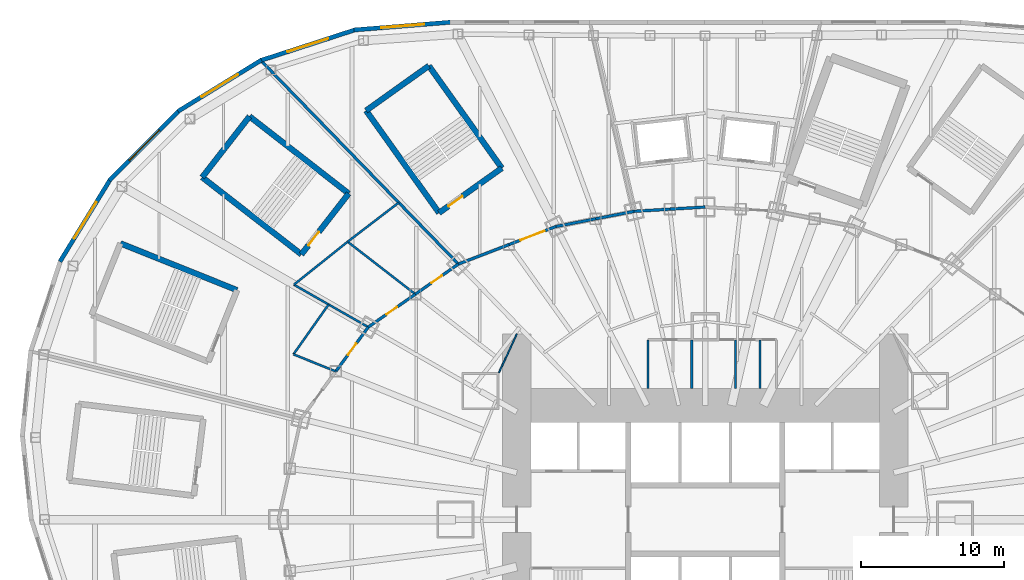
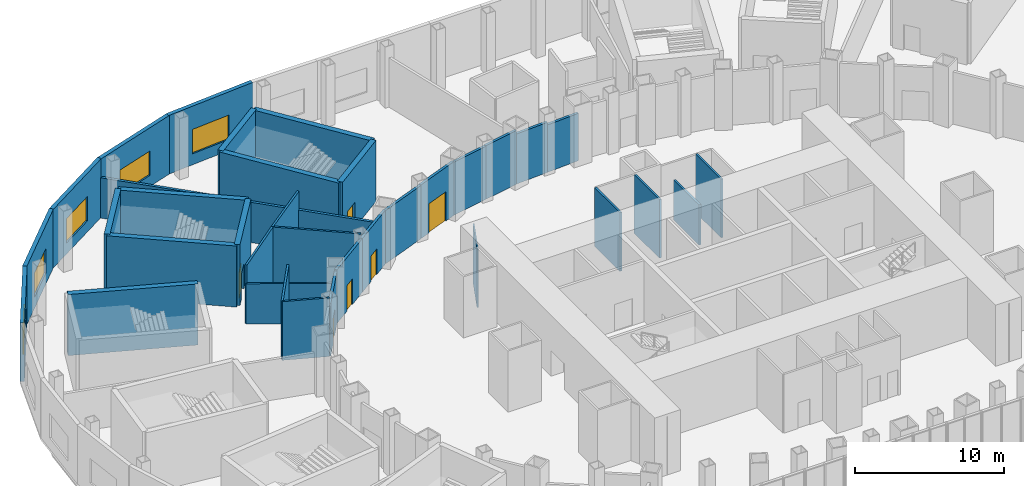
# One storey, part 15 of 73: 35 walls, 6 doors, 5 windows, 11 openings.
"""IFC4 building model written with IfcOpenShell, lengths in metres."""

from ifc_helpers import new_model, si_unit, direction, frame, frame_2d, origin, place, context, subcontext, project, spatial, rectangle, extrude, material, layer, layer_set, type_object, element, fill, save


model = new_model("IFC4")

# Units and contexts
model_context = context("Model", 3, precision=1e-05, world=origin(), true_north=direction((0.0, 1.0)))
body_context = subcontext(model_context, "Body", "Model", "MODEL_VIEW")
ifc_project = project(units=[si_unit("LENGTHUNIT", "METRE"), si_unit("AREAUNIT", "SQUARE_METRE"), si_unit("VOLUMEUNIT", "CUBIC_METRE"), si_unit("PLANEANGLEUNIT", "RADIAN"), si_unit("MASSUNIT", "GRAM", prefix="KILO")], contexts=[model_context])

# Site, building, storey
site_placement = place(None, origin())
site = spatial("IfcSite", under=ifc_project, at=site_placement, CompositionType="ELEMENT")
building_placement = place(site_placement, origin())
building = spatial("IfcBuilding", under=site, at=building_placement, Name="Lantaw Convention Tower", CompositionType="ELEMENT")
storey_placement = place(building_placement, frame((0.0, 0.0, 22.0)))
storey = spatial("IfcBuildingStorey", under=building, at=storey_placement, Name="L03", CompositionType="ELEMENT", Elevation=22.0)

# Wall
ifc_material_1 = material(Name="Gypsum board on steel studs, acoustic", Category="steel")
ifc_layer_1 = layer(ifc_material_1, 0.10009765625)
ifc_layer_set_1 = layer_set([ifc_layer_1], Name="Office partition 100")
wall_type_1 = type_object("IfcWallType", Name="Office partition 100", PredefinedType="PARTITIONING", material=ifc_layer_set_1)
wall_1_placement = place(storey_placement, frame((-13.199951171875, 13.0, 0.0), z_axis=(0.0, 0.0, 1.0), x_axis=(-0.420129824888, -0.907464010437, 0.0)))
element("IfcWall", 1, at=wall_1_placement, inside=storey, type_object=wall_type_1, Name="Office partition 100", PredefinedType="PARTITIONING", context=body_context, shape_type="SweptSolid", body=[
    extrude(rectangle(XDim=2.975341796875, YDim=0.10009765625, at=frame_2d((1.48779296875, 0.0))), origin(), (0.0, 0.0, 1.0), 4.800048828125),
])

# Wall, opening, window
ifc_material_2 = material(Name="Precast concrete panel, pale aluminium rainscreen", Category="concrete")
ifc_layer_2 = layer(ifc_material_2, 0.300048828125)
ifc_layer_set_2 = layer_set([ifc_layer_2], Name="Podium external wall 300")
wall_type_2 = type_object("IfcWallType", Name="Podium external wall 300", PredefinedType="SOLIDWALL", material=ifc_layer_set_2)
wall_2_placement = place(storey_placement, frame((-17.781494140625, 34.853759765625, 0.0), z_axis=(0.0, 0.0, 1.0), x_axis=(-0.996791084449, -0.080047073422, 0.0)))
wall_2 = element("IfcWall", 2, at=wall_2_placement, inside=storey, type_object=wall_type_2, Name="Podium facade wall", PredefinedType="SOLIDWALL", context=body_context, shape_type="SweptSolid", body=[
    extrude(rectangle(XDim=6.84716796875, YDim=0.300048828125, at=frame_2d((3.423583984375, 0.0))), origin(), (0.0, 0.0, 1.0), 4.800048828125),
])
opening_1_placement = place(wall_2_placement, frame((1.923583984375, 0.0, 0.89990234375)))
opening_1 = element("IfcOpeningElement", 3, at=opening_1_placement, cuts=wall_2, Name="Opening W3", PredefinedType="OPENING", context=body_context, shape_type="SweptSolid", body=[
    extrude(rectangle(XDim=3.0, YDim=2.0, at=frame_2d((1.5, 1.0))), frame((0.0, 0.159912109375, 0.0), z_axis=(0.0, -1.0, 0.0), x_axis=(1.0, 0.0, 0.0)), (0.0, 0.0, 1.0), 0.320068359375),
])
ifc_material_3 = material(Name="Aluminium frame, clear insulating glass", Category="aluminium")
window_type = type_object("IfcWindowType", Name="Podium window 3000x2000", PartitioningType="DOUBLE_PANEL_VERTICAL", PredefinedType="WINDOW", material=ifc_material_3)
window_1_placement = place(opening_1_placement, origin())
window_1 = element("IfcWindow", 4, at=window_1_placement, inside=storey, type_object=window_type, Name="Podium window", OverallHeight=2.0, OverallWidth=3.0, PartitioningType="SINGLE_PANEL", PredefinedType="WINDOW", context=body_context, shape_type="SweptSolid", body=[
    extrude(rectangle(XDim=3.0, YDim=2.0, at=frame_2d((1.5, 1.0))), frame((0.0, 0.030029296875, 0.0), z_axis=(0.0, -1.0, 0.0), x_axis=(1.0, 0.0, 0.0)), (0.0, 0.0, 1.0), 0.06005859375),
])
fill(opening_1, window_1)

wall_3_placement = place(storey_placement, frame((-24.49462890625, 34.327880859375, 0.0), z_axis=(0.0, 0.0, 1.0), x_axis=(-0.951140010357, -0.308759907853, 0.0)))
wall_3 = element("IfcWall", 5, at=wall_3_placement, inside=storey, type_object=wall_type_2, Name="Podium facade wall", PredefinedType="SOLIDWALL", context=body_context, shape_type="SweptSolid", body=[
    extrude(rectangle(XDim=7.041259765625, YDim=0.300048828125, at=frame_2d((3.5205078125, 0.0))), origin(), (0.0, 0.0, 1.0), 4.800048828125),
])
opening_2_placement = place(wall_3_placement, frame((2.020751953125, 0.0, 0.89990234375)))
opening_2 = element("IfcOpeningElement", 6, at=opening_2_placement, cuts=wall_3, Name="Opening W3", PredefinedType="OPENING", context=body_context, shape_type="SweptSolid", body=[
    extrude(rectangle(XDim=3.0, YDim=2.0, at=frame_2d((1.5, 1.0))), frame((0.0, 0.159912109375, 0.0), z_axis=(0.0, -1.0, 0.0), x_axis=(1.0, 0.0, 0.0)), (0.0, 0.0, 1.0), 0.320068359375),
])
window_2_placement = place(opening_2_placement, origin())
window_2 = element("IfcWindow", 7, at=window_2_placement, inside=storey, type_object=window_type, Name="Podium window", OverallHeight=2.0, OverallWidth=3.0, PartitioningType="SINGLE_PANEL", PredefinedType="WINDOW", context=body_context, shape_type="SweptSolid", body=[
    extrude(rectangle(XDim=3.0, YDim=2.0, at=frame_2d((1.5, 1.0))), frame((0.0, 0.030029296875, 0.0), z_axis=(0.0, -1.0, 0.0), x_axis=(1.0, 0.0, 0.0)), (0.0, 0.0, 1.0), 0.06005859375),
])
fill(opening_2, window_2)

wall_4_placement = place(storey_placement, frame((-31.087646484375, 32.201904296875, 0.0), z_axis=(0.0, 0.0, 1.0), x_axis=(-0.851808565246, -0.52385319334, 0.0)))
wall_4 = element("IfcWall", 8, at=wall_4_placement, inside=storey, type_object=wall_type_2, Name="Podium facade wall", PredefinedType="SOLIDWALL", context=body_context, shape_type="SweptSolid", body=[
    extrude(rectangle(XDim=6.860595703125, YDim=0.300048828125, at=frame_2d((3.43017578125, 0.0))), origin(), (0.0, 0.0, 1.0), 4.800048828125),
])
opening_3_placement = place(wall_4_placement, frame((1.930419921875, 0.0, 0.89990234375)))
opening_3 = element("IfcOpeningElement", 9, at=opening_3_placement, cuts=wall_4, Name="Opening W3", PredefinedType="OPENING", context=body_context, shape_type="SweptSolid", body=[
    extrude(rectangle(XDim=3.0, YDim=2.0, at=frame_2d((1.5, 1.0))), frame((0.0, 0.159912109375, 0.0), z_axis=(0.0, -1.0, 0.0), x_axis=(1.0, 0.0, 0.0)), (0.0, 0.0, 1.0), 0.320068359375),
])
window_3_placement = place(opening_3_placement, origin())
window_3 = element("IfcWindow", 10, at=window_3_placement, inside=storey, type_object=window_type, Name="Podium window", OverallHeight=2.0, OverallWidth=3.0, PartitioningType="SINGLE_PANEL", PredefinedType="WINDOW", context=body_context, shape_type="SweptSolid", body=[
    extrude(rectangle(XDim=3.0, YDim=2.0, at=frame_2d((1.5, 1.0))), frame((0.0, 0.030029296875, 0.0), z_axis=(0.0, -1.0, 0.0), x_axis=(1.0, 0.0, 0.0)), (0.0, 0.0, 1.0), 0.06005859375),
])
fill(opening_3, window_3)

wall_5_placement = place(storey_placement, frame((-36.841552734375, 28.678955078125, 0.0), z_axis=(0.0, 0.0, 1.0), x_axis=(-0.705874614645, -0.708336804352, 0.0)))
wall_5 = element("IfcWall", 11, at=wall_5_placement, inside=storey, type_object=wall_type_2, Name="Podium facade wall", PredefinedType="SOLIDWALL", context=body_context, shape_type="SweptSolid", body=[
    extrude(rectangle(XDim=6.94091796875, YDim=0.300048828125, at=frame_2d((3.470458984375, 0.0))), origin(), (0.0, 0.0, 1.0), 4.800048828125),
])
opening_4_placement = place(wall_5_placement, frame((1.970458984375, 0.0, 0.89990234375)))
opening_4 = element("IfcOpeningElement", 12, at=opening_4_placement, cuts=wall_5, Name="Opening W3", PredefinedType="OPENING", context=body_context, shape_type="SweptSolid", body=[
    extrude(rectangle(XDim=3.0, YDim=2.0, at=frame_2d((1.5, 1.0))), frame((0.0, 0.159912109375, 0.0), z_axis=(0.0, -1.0, 0.0), x_axis=(1.0, 0.0, 0.0)), (0.0, 0.0, 1.0), 0.320068359375),
])
window_4_placement = place(opening_4_placement, origin())
window_4 = element("IfcWindow", 13, at=window_4_placement, inside=storey, type_object=window_type, Name="Podium window", OverallHeight=2.0, OverallWidth=3.0, PartitioningType="SINGLE_PANEL", PredefinedType="WINDOW", context=body_context, shape_type="SweptSolid", body=[
    extrude(rectangle(XDim=3.0, YDim=2.0, at=frame_2d((1.5, 1.0))), frame((0.0, 0.030029296875, 0.0), z_axis=(0.0, -1.0, 0.0), x_axis=(1.0, 0.0, 0.0)), (0.0, 0.0, 1.0), 0.06005859375),
])
fill(opening_4, window_4)

wall_6_placement = place(storey_placement, frame((-41.670166015625, 23.852294921875, 0.0), z_axis=(0.0, 0.0, 1.0), x_axis=(-0.52225340952, -0.852790347181, 0.0)))
wall_6 = element("IfcWall", 14, at=wall_6_placement, inside=storey, type_object=wall_type_2, Name="Podium facade wall", PredefinedType="SOLIDWALL", context=body_context, shape_type="SweptSolid", body=[
    extrude(rectangle(XDim=6.77099609375, YDim=0.300048828125, at=frame_2d((3.385498046875, 0.0))), origin(), (0.0, 0.0, 1.0), 4.800048828125),
])
opening_5_placement = place(wall_6_placement, frame((1.885498046875, 0.0, 0.89990234375)))
opening_5 = element("IfcOpeningElement", 15, at=opening_5_placement, cuts=wall_6, Name="Opening W3", PredefinedType="OPENING", context=body_context, shape_type="SweptSolid", body=[
    extrude(rectangle(XDim=3.0, YDim=2.0, at=frame_2d((1.5, 1.0))), frame((0.0, 0.159912109375, 0.0), z_axis=(0.0, -1.0, 0.0), x_axis=(1.0, 0.0, 0.0)), (0.0, 0.0, 1.0), 0.320068359375),
])
window_5_placement = place(opening_5_placement, origin())
window_5 = element("IfcWindow", 16, at=window_5_placement, inside=storey, type_object=window_type, Name="Podium window", OverallHeight=2.0, OverallWidth=3.0, PartitioningType="SINGLE_PANEL", PredefinedType="WINDOW", context=body_context, shape_type="SweptSolid", body=[
    extrude(rectangle(XDim=3.0, YDim=2.0, at=frame_2d((1.5, 1.0))), frame((0.0, 0.030029296875, 0.0), z_axis=(0.0, -1.0, 0.0), x_axis=(1.0, 0.0, 0.0)), (0.0, 0.0, 1.0), 0.06005859375),
])
fill(opening_5, window_5)

# Walls
ifc_material_4 = material(Name="Concrete blockwork", Category="masonry")
ifc_layer_3 = layer(ifc_material_4, 0.199951171875)
ifc_layer_set_3 = layer_set([ifc_layer_3], Name="Podium partition 200")
wall_type_3 = type_object("IfcWallType", Name="Podium partition 200", PredefinedType="SOLIDWALL", material=ifc_layer_set_3)
wall_7_placement = place(storey_placement, frame((0.0, 21.89990234375, 0.0), z_axis=(0.0, 0.0, 1.0), x_axis=(-0.998175328335, -0.060382231685, 0.0)))
element("IfcWall", 17, at=wall_7_placement, inside=storey, type_object=wall_type_3, Name="Podium partition 200", PredefinedType="SOLIDWALL", context=body_context, shape_type="SweptSolid", body=[
    extrude(rectangle(XDim=2.482666015625, YDim=0.199951171875, at=frame_2d((1.2412109375, 0.0))), origin(), (0.0, 0.0, 1.0), 3.8779296875),
])
wall_8_placement = place(storey_placement, frame((-2.47802734375, 21.75, 0.0), z_axis=(0.0, 0.0, 1.0), x_axis=(-0.998172405641, -0.060430527186, 0.0)))
element("IfcWall", 18, at=wall_8_placement, inside=storey, type_object=wall_type_3, Name="Podium partition 200", PredefinedType="SOLIDWALL", context=body_context, shape_type="SweptSolid", body=[
    extrude(rectangle(XDim=2.512939453125, YDim=0.199951171875, at=frame_2d((1.25634765625, 0.0))), origin(), (0.0, 0.0, 1.0), 4.098876953125),
])
wall_9_placement = place(storey_placement, frame((-4.986328125, 21.59814453125, 0.0), z_axis=(0.0, 0.0, 1.0), x_axis=(-0.981637218105, -0.190757364289, 0.0)))
element("IfcWall", 19, at=wall_9_placement, inside=storey, type_object=wall_type_3, Name="Podium partition 200", PredefinedType="SOLIDWALL", context=body_context, shape_type="SweptSolid", body=[
    extrude(rectangle(XDim=2.735107421875, YDim=0.199951171875, at=frame_2d((1.36767578125, 0.0))), origin(), (0.0, 0.0, 1.0), 4.3935546875),
])
wall_10_placement = place(storey_placement, frame((-7.671142578125, 21.076416015625, 0.0), z_axis=(0.0, 0.0, 1.0), x_axis=(-0.98163593748, -0.190763954266, 0.0)))
element("IfcWall", 20, at=wall_10_placement, inside=storey, type_object=wall_type_3, Name="Podium partition 200", PredefinedType="SOLIDWALL", context=body_context, shape_type="SweptSolid", body=[
    extrude(rectangle(XDim=2.84375, YDim=0.199951171875, at=frame_2d((1.421875, 0.0))), origin(), (0.0, 0.0, 1.0), 4.350341796875),
])

# Wall, opening, door
wall_11_placement = place(storey_placement, frame((-10.462646484375, 20.533935546875, 0.0), z_axis=(0.0, 0.0, 1.0), x_axis=(-0.933241815012, -0.359248820058, 0.0)))
wall_11 = element("IfcWall", 21, at=wall_11_placement, inside=storey, type_object=wall_type_3, Name="Podium partition 200", PredefinedType="SOLIDWALL", context=body_context, shape_type="SweptSolid", body=[
    extrude(rectangle(XDim=3.517578125, YDim=0.199951171875, at=frame_2d((1.7587890625, 0.0))), origin(), (0.0, 0.0, 1.0), 4.396240234375),
])
opening_6_placement = place(wall_11_placement, frame((0.85888671875, 0.0, 0.0)))
opening_6 = element("IfcOpeningElement", 22, at=opening_6_placement, cuts=wall_11, Name="Opening L03.16", PredefinedType="OPENING", context=body_context, shape_type="SweptSolid", body=[
    extrude(rectangle(XDim=1.800048828125, YDim=2.39990234375, at=frame_2d((0.89990234375, 1.199951171875))), frame((0.0, 0.10986328125, 0.0), z_axis=(0.0, -1.0, 0.0), x_axis=(1.0, 0.0, 0.0)), (0.0, 0.0, 1.0), 0.219970703125),
])
ifc_material_5 = material(Name="Timber", Category="wood")
door_type_1 = type_object("IfcDoorType", Name="Hall double door 1800", OperationType="DOUBLE_DOOR_DOUBLE_SWING", PredefinedType="DOOR", material=ifc_material_5)
door_1_placement = place(opening_6_placement, origin())
door_1 = element("IfcDoor", 23, at=door_1_placement, inside=storey, type_object=door_type_1, Name="Business centre door", OperationType="DOUBLE_DOOR_DOUBLE_SWING", OverallHeight=2.39990234375, OverallWidth=1.800048828125, PredefinedType="DOOR", context=body_context, shape_type="SweptSolid", body=[
    extrude(rectangle(XDim=1.800048828125, YDim=2.39990234375, at=frame_2d((0.89990234375, 1.199951171875))), frame((0.0, 0.02490234375, 0.0), z_axis=(0.0, -1.0, 0.0), x_axis=(1.0, 0.0, 0.0)), (0.0, 0.0, 1.0), 0.050048828125),
])
fill(opening_6, door_1)

# Wall
wall_12_placement = place(storey_placement, frame((-13.745361328125, 19.270263671875, 0.0), z_axis=(0.0, 0.0, 1.0), x_axis=(-0.933224646415, -0.359293416754, 0.0)))
element("IfcWall", 24, at=wall_12_placement, inside=storey, type_object=wall_type_3, Name="Podium partition 200", PredefinedType="SOLIDWALL", context=body_context, shape_type="SweptSolid", body=[
    extrude(rectangle(XDim=3.799072265625, YDim=0.199951171875, at=frame_2d((1.8994140625, 0.0))), origin(), (0.0, 0.0, 1.0), 4.35546875),
])

# Wall, opening, door
wall_13_placement = place(storey_placement, frame((-17.290771484375, 17.9052734375, 0.0), z_axis=(0.0, 0.0, 1.0), x_axis=(-0.819409395821, -0.573208724672, 0.0)))
wall_13 = element("IfcWall", 25, at=wall_13_placement, inside=storey, type_object=wall_type_3, Name="Podium partition 200", PredefinedType="SOLIDWALL", context=body_context, shape_type="SweptSolid", body=[
    extrude(rectangle(XDim=3.682861328125, YDim=0.199951171875, at=frame_2d((1.84130859375, 0.0))), origin(), (0.0, 0.0, 1.0), 4.396240234375),
])
opening_7_placement = place(wall_13_placement, frame((1.391357421875, 0.0, 0.0)))
opening_7 = element("IfcOpeningElement", 26, at=opening_7_placement, cuts=wall_13, Name="Opening L03.17", PredefinedType="OPENING", context=body_context, shape_type="SweptSolid", body=[
    extrude(rectangle(XDim=0.89990234375, YDim=2.10009765625, at=frame_2d((0.449951171875, 1.050048828125))), frame((0.0, 0.10986328125, 0.0), z_axis=(0.0, -1.0, 0.0), x_axis=(1.0, 0.0, 0.0)), (0.0, 0.0, 1.0), 0.219970703125),
])
door_type_2 = type_object("IfcDoorType", Name="WC door 900", OperationType="SINGLE_SWING_LEFT", PredefinedType="DOOR", material=ifc_material_5)
door_2_placement = place(opening_7_placement, origin())
door_2 = element("IfcDoor", 27, at=door_2_placement, inside=storey, type_object=door_type_2, Name="Male WC door", OperationType="SINGLE_SWING_LEFT", OverallHeight=2.10009765625, OverallWidth=0.89990234375, PredefinedType="DOOR", context=body_context, shape_type="SweptSolid", body=[
    extrude(rectangle(XDim=0.89990234375, YDim=2.10009765625, at=frame_2d((0.449951171875, 1.050048828125))), frame((0.0, 0.02490234375, 0.0), z_axis=(0.0, -1.0, 0.0), x_axis=(1.0, 0.0, 0.0)), (0.0, 0.0, 1.0), 0.050048828125),
])
fill(opening_7, door_2)

wall_14_placement = place(storey_placement, frame((-20.30859375, 15.794189453125, 0.0), z_axis=(0.0, 0.0, 1.0), x_axis=(-0.819442856133, -0.573160889744, 0.0)))
wall_14 = element("IfcWall", 28, at=wall_14_placement, inside=storey, type_object=wall_type_3, Name="Podium partition 200", PredefinedType="SOLIDWALL", context=body_context, shape_type="SweptSolid", body=[
    extrude(rectangle(XDim=4.022705078125, YDim=0.199951171875, at=frame_2d((2.01123046875, 0.0))), origin(), (0.0, 0.0, 1.0), 4.396240234375),
])
opening_8_placement = place(wall_14_placement, frame((1.561279296875, 0.0, 0.0)))
opening_8 = element("IfcOpeningElement", 29, at=opening_8_placement, cuts=wall_14, Name="Opening L03.18", PredefinedType="OPENING", context=body_context, shape_type="SweptSolid", body=[
    extrude(rectangle(XDim=0.89990234375, YDim=2.10009765625, at=frame_2d((0.449951171875, 1.050048828125))), frame((0.0, 0.10986328125, 0.0), z_axis=(0.0, -1.0, 0.0), x_axis=(1.0, 0.0, 0.0)), (0.0, 0.0, 1.0), 0.219970703125),
])
door_3_placement = place(opening_8_placement, origin())
door_3 = element("IfcDoor", 30, at=door_3_placement, inside=storey, type_object=door_type_2, Name="Female WC door", OperationType="SINGLE_SWING_LEFT", OverallHeight=2.10009765625, OverallWidth=0.89990234375, PredefinedType="DOOR", context=body_context, shape_type="SweptSolid", body=[
    extrude(rectangle(XDim=0.89990234375, YDim=2.10009765625, at=frame_2d((0.449951171875, 1.050048828125))), frame((0.0, 0.02490234375, 0.0), z_axis=(0.0, -1.0, 0.0), x_axis=(1.0, 0.0, 0.0)), (0.0, 0.0, 1.0), 0.050048828125),
])
fill(opening_8, door_3)

wall_15_placement = place(storey_placement, frame((-23.60498046875, 13.488525390625, 0.0), z_axis=(0.0, 0.0, 1.0), x_axis=(-0.591286566758, -0.806461527893, 0.0)))
wall_15 = element("IfcWall", 31, at=wall_15_placement, inside=storey, type_object=wall_type_3, Name="Podium partition 200", PredefinedType="SOLIDWALL", context=body_context, shape_type="SweptSolid", body=[
    extrude(rectangle(XDim=3.843994140625, YDim=0.199951171875, at=frame_2d((1.921875, 0.0))), origin(), (0.0, 0.0, 1.0), 4.274169921875),
])
opening_9_placement = place(wall_15_placement, frame((1.422119140625, 0.0, 0.0)))
opening_9 = element("IfcOpeningElement", 32, at=opening_9_placement, cuts=wall_15, Name="Opening L03.19", PredefinedType="OPENING", context=body_context, shape_type="SweptSolid", body=[
    extrude(rectangle(XDim=1.0, YDim=2.10009765625, at=frame_2d((0.5, 1.050048828125))), frame((0.0, 0.10986328125, 0.0), z_axis=(0.0, -1.0, 0.0), x_axis=(1.0, 0.0, 0.0)), (0.0, 0.0, 1.0), 0.219970703125),
])
door_type_3 = type_object("IfcDoorType", Name="Accessible WC door 1000", OperationType="SINGLE_SWING_LEFT", PredefinedType="DOOR", material=ifc_material_5)
door_4_placement = place(opening_9_placement, origin())
door_4 = element("IfcDoor", 33, at=door_4_placement, inside=storey, type_object=door_type_3, Name="Accessible WC door", OperationType="SINGLE_SWING_LEFT", OverallHeight=2.10009765625, OverallWidth=1.0, PredefinedType="DOOR", context=body_context, shape_type="SweptSolid", body=[
    extrude(rectangle(XDim=1.0, YDim=2.10009765625, at=frame_2d((0.5, 1.050048828125))), frame((0.0, 0.02490234375, 0.0), z_axis=(0.0, -1.0, 0.0), x_axis=(1.0, 0.0, 0.0)), (0.0, 0.0, 1.0), 0.050048828125),
])
fill(opening_9, door_4)

# Walls
wall_16_placement = place(storey_placement, frame((-17.290771484375, 17.9052734375, 0.0), z_axis=(0.0, 0.0, 1.0), x_axis=(-0.696460684513, 0.717594951855, 0.0)))
element("IfcWall", 34, at=wall_16_placement, inside=storey, type_object=wall_type_3, Name="Podium partition 200", PredefinedType="SOLIDWALL", context=body_context, shape_type="SweptSolid", body=[
    extrude(rectangle(XDim=19.880859375, YDim=0.199951171875, at=frame_2d((9.9404296875, 0.0))), origin(), (0.0, 0.0, 1.0), 3.300048828125),
])
ifc_material_6 = material(Name="Concrete C40/50, stair core", Category="concrete")
ifc_layer_4 = layer(ifc_material_6, 0.39990234375)
ifc_layer_set_4 = layer_set([ifc_layer_4], Name="Stair enclosure wall 400 EI 120")
wall_type_4 = type_object("IfcWallType", Name="Stair enclosure wall 400 EI 120", PredefinedType="SHEAR", material=ifc_layer_set_4)
wall_17_placement = place(storey_placement, frame((-14.2509765625, 24.628662109375, 0.0), z_axis=(0.0, 0.0, 1.0), x_axis=(-0.580705313356, 0.814113836659, 0.0)))
element("IfcWall", 35, at=wall_17_placement, inside=storey, type_object=wall_type_4, Name="Stair enclosure wall", PredefinedType="SHEAR", context=body_context, shape_type="SweptSolid", body=[
    extrude(rectangle(XDim=8.7998046875, YDim=0.39990234375, at=frame_2d((4.39990234375, 0.0))), origin(), (0.0, 0.0, 1.0), 5.0),
])
wall_18_placement = place(storey_placement, frame((-19.361083984375, 31.792724609375, 0.0), z_axis=(0.0, 0.0, 1.0), x_axis=(-0.814121252423, -0.580694916762, 0.0)))
element("IfcWall", 36, at=wall_18_placement, inside=storey, type_object=wall_type_4, Name="Stair enclosure wall", PredefinedType="SHEAR", context=body_context, shape_type="SweptSolid", body=[
    extrude(rectangle(XDim=5.39990234375, YDim=0.39990234375, at=frame_2d((2.699951171875, 0.0))), origin(), (0.0, 0.0, 1.0), 5.0),
])
wall_19_placement = place(storey_placement, frame((-23.75732421875, 28.656982421875, 0.0), z_axis=(0.0, 0.0, 1.0), x_axis=(0.580705313356, -0.814113836659, 0.0)))
element("IfcWall", 37, at=wall_19_placement, inside=storey, type_object=wall_type_4, Name="Stair enclosure wall", PredefinedType="SHEAR", context=body_context, shape_type="SweptSolid", body=[
    extrude(rectangle(XDim=8.7998046875, YDim=0.39990234375, at=frame_2d((4.39990234375, 0.0))), origin(), (0.0, 0.0, 1.0), 5.0),
])

# Wall, opening, door
wall_20_placement = place(storey_placement, frame((-18.647216796875, 21.492919921875, 0.0), z_axis=(0.0, 0.0, 1.0), x_axis=(0.814121252423, 0.580694916762, 0.0)))
wall_20 = element("IfcWall", 38, at=wall_20_placement, inside=storey, type_object=wall_type_4, Name="Stair enclosure wall", PredefinedType="SHEAR", context=body_context, shape_type="SweptSolid", body=[
    extrude(rectangle(XDim=5.39990234375, YDim=0.39990234375, at=frame_2d((2.699951171875, 0.0))), origin(), (0.0, 0.0, 1.0), 5.0),
])
opening_10_placement = place(wall_20_placement, frame((0.800048828125, 0.0, 0.0)))
opening_10 = element("IfcOpeningElement", 39, at=opening_10_placement, cuts=wall_20, Name="Opening L03.P6", PredefinedType="OPENING", context=body_context, shape_type="SweptSolid", body=[
    extrude(rectangle(XDim=1.199951171875, YDim=2.10009765625, at=frame_2d((0.60009765625, 1.050048828125))), frame((0.0, 0.2099609375, 0.0), z_axis=(0.0, -1.0, 0.0), x_axis=(1.0, 0.0, 0.0)), (0.0, 0.0, 1.0), 0.419921875),
])
ifc_material_7 = material(Name="Steel, fire rated", Category="steel")
door_type_4 = type_object("IfcDoorType", Name="Stair door FD90", OperationType="SINGLE_SWING_RIGHT", PredefinedType="DOOR", material=ifc_material_7)
door_5_placement = place(opening_10_placement, origin())
door_5 = element("IfcDoor", 40, at=door_5_placement, inside=storey, type_object=door_type_4, Name="Exit stair door", OperationType="SINGLE_SWING_RIGHT", OverallHeight=2.10009765625, OverallWidth=1.199951171875, PredefinedType="DOOR", context=body_context, shape_type="SweptSolid", body=[
    extrude(rectangle(XDim=1.199951171875, YDim=2.10009765625, at=frame_2d((0.60009765625, 1.050048828125))), frame((0.0, 0.02490234375, 0.0), z_axis=(0.0, -1.0, 0.0), x_axis=(1.0, 0.0, 0.0)), (0.0, 0.0, 1.0), 0.050048828125),
])
fill(opening_10, door_5)

# Walls
wall_21_placement = place(storey_placement, frame((-24.9775390625, 22.845703125, 0.0), z_axis=(0.0, 0.0, 1.0), x_axis=(-0.78938060008, 0.613904119726, 0.0)))
element("IfcWall", 41, at=wall_21_placement, inside=storey, type_object=wall_type_4, Name="Stair enclosure wall", PredefinedType="SHEAR", context=body_context, shape_type="SweptSolid", body=[
    extrude(rectangle(XDim=8.800048828125, YDim=0.39990234375, at=frame_2d((4.39990234375, 0.0))), origin(), (0.0, 0.0, 1.0), 5.0),
])
wall_22_placement = place(storey_placement, frame((-31.924072265625, 28.248046875, 0.0), z_axis=(0.0, 0.0, 1.0), x_axis=(-0.613912443548, -0.789374126544, 0.0)))
element("IfcWall", 42, at=wall_22_placement, inside=storey, type_object=wall_type_4, Name="Stair enclosure wall", PredefinedType="SHEAR", context=body_context, shape_type="SweptSolid", body=[
    extrude(rectangle(XDim=5.400146484375, YDim=0.39990234375, at=frame_2d((2.7001953125, 0.0))), origin(), (0.0, 0.0, 1.0), 5.0),
])
wall_23_placement = place(storey_placement, frame((-35.2392578125, 23.9853515625, 0.0), z_axis=(0.0, 0.0, 1.0), x_axis=(0.78938060008, -0.613904119726, 0.0)))
element("IfcWall", 43, at=wall_23_placement, inside=storey, type_object=wall_type_4, Name="Stair enclosure wall", PredefinedType="SHEAR", context=body_context, shape_type="SweptSolid", body=[
    extrude(rectangle(XDim=8.800048828125, YDim=0.39990234375, at=frame_2d((4.39990234375, 0.0))), origin(), (0.0, 0.0, 1.0), 5.0),
])

# Wall, opening, door
wall_24_placement = place(storey_placement, frame((-28.292724609375, 18.5830078125, 0.0), z_axis=(0.0, 0.0, 1.0), x_axis=(0.613912443548, 0.789374126544, 0.0)))
wall_24 = element("IfcWall", 44, at=wall_24_placement, inside=storey, type_object=wall_type_4, Name="Stair enclosure wall", PredefinedType="SHEAR", context=body_context, shape_type="SweptSolid", body=[
    extrude(rectangle(XDim=5.400146484375, YDim=0.39990234375, at=frame_2d((2.7001953125, 0.0))), origin(), (0.0, 0.0, 1.0), 5.0),
])
opening_11_placement = place(wall_24_placement, frame((0.800048828125, 0.0, 0.0)))
opening_11 = element("IfcOpeningElement", 45, at=opening_11_placement, cuts=wall_24, Name="Opening L03.P7", PredefinedType="OPENING", context=body_context, shape_type="SweptSolid", body=[
    extrude(rectangle(XDim=1.199951171875, YDim=2.10009765625, at=frame_2d((0.60009765625, 1.050048828125))), frame((0.0, 0.2099609375, 0.0), z_axis=(0.0, -1.0, 0.0), x_axis=(1.0, 0.0, 0.0)), (0.0, 0.0, 1.0), 0.419921875),
])
door_6_placement = place(opening_11_placement, origin())
door_6 = element("IfcDoor", 46, at=door_6_placement, inside=storey, type_object=door_type_4, Name="Exit stair door", OperationType="SINGLE_SWING_RIGHT", OverallHeight=2.10009765625, OverallWidth=1.199951171875, PredefinedType="DOOR", context=body_context, shape_type="SweptSolid", body=[
    extrude(rectangle(XDim=1.199951171875, YDim=2.10009765625, at=frame_2d((0.60009765625, 1.050048828125))), frame((0.0, 0.02490234375, 0.0), z_axis=(0.0, -1.0, 0.0), x_axis=(1.0, 0.0, 0.0)), (0.0, 0.0, 1.0), 0.050048828125),
])
fill(opening_11, door_6)

# Walls
wall_25_placement = place(storey_placement, frame((-32.800048828125, 16.07666015625, 0.0), z_axis=(0.0, 0.0, 1.0), x_axis=(-0.92801678004, 0.372538395288, 0.0)))
element("IfcWall", 47, at=wall_25_placement, inside=storey, type_object=wall_type_4, Name="Stair enclosure wall", PredefinedType="SHEAR", context=body_context, shape_type="SweptSolid", body=[
    extrude(rectangle(XDim=8.800048828125, YDim=0.39990234375, at=frame_2d((4.39990234375, 0.0))), origin(), (0.0, 0.0, 1.0), 5.0),
])
ifc_layer_5 = layer(ifc_material_4, 0.14990234375)
ifc_layer_set_5 = layer_set([ifc_layer_5], Name="WC wall 150")
wall_type_5 = type_object("IfcWallType", Name="WC wall 150", PredefinedType="SOLIDWALL", material=ifc_layer_set_5)
wall_26_placement = place(storey_placement, frame((-21.469482421875, 22.210693359375, 0.0), z_axis=(0.0, 0.0, 1.0), x_axis=(-0.794122703503, -0.607757461313, 0.0)))
element("IfcWall", 48, at=wall_26_placement, inside=storey, type_object=wall_type_5, Name="WC wall 150", PredefinedType="SOLIDWALL", context=body_context, shape_type="SweptSolid", body=[
    extrude(rectangle(XDim=4.51025390625, YDim=0.14990234375, at=frame_2d((2.255126953125, 0.0))), origin(), (0.0, 0.0, 1.0), 4.800048828125),
])
wall_27_placement = place(storey_placement, frame((-20.30859375, 15.794189453125, 0.0), z_axis=(0.0, 0.0, 1.0), x_axis=(-0.790437708207, 0.61254243073, 0.0)))
element("IfcWall", 49, at=wall_27_placement, inside=storey, type_object=wall_type_5, Name="WC wall 150", PredefinedType="SOLIDWALL", context=body_context, shape_type="SweptSolid", body=[
    extrude(rectangle(XDim=6.0, YDim=0.14990234375, at=frame_2d((3.0, 0.0))), origin(), (0.0, 0.0, 1.0), 4.800048828125),
])
wall_28_placement = place(storey_placement, frame((-25.05126953125, 19.469482421875, 0.0), z_axis=(0.0, 0.0, 1.0), x_axis=(-0.781204641684, -0.624275025779, 0.0)))
element("IfcWall", 50, at=wall_28_placement, inside=storey, type_object=wall_type_5, Name="WC wall 150", PredefinedType="SOLIDWALL", context=body_context, shape_type="SweptSolid", body=[
    extrude(rectangle(XDim=4.8212890625, YDim=0.14990234375, at=frame_2d((2.41064453125, 0.0))), origin(), (0.0, 0.0, 1.0), 4.800048828125),
])
wall_29_placement = place(storey_placement, frame((-23.60498046875, 13.488525390625, 0.0), z_axis=(0.0, 0.0, 1.0), x_axis=(-0.868778495598, 0.49520089417, 0.0)))
element("IfcWall", 51, at=wall_29_placement, inside=storey, type_object=wall_type_5, Name="WC wall 150", PredefinedType="SOLIDWALL", context=body_context, shape_type="SweptSolid", body=[
    extrude(rectangle(XDim=6.0, YDim=0.14990234375, at=frame_2d((3.0, 0.0))), origin(), (0.0, 0.0, 1.0), 3.300048828125),
])
wall_30_placement = place(storey_placement, frame((-26.385009765625, 15.0732421875, 0.0), z_axis=(0.0, 0.0, 1.0), x_axis=(-0.576153892924, -0.81734123331, 0.0)))
element("IfcWall", 52, at=wall_30_placement, inside=storey, type_object=wall_type_5, Name="WC wall 150", PredefinedType="SOLIDWALL", context=body_context, shape_type="SweptSolid", body=[
    extrude(rectangle(XDim=4.274658203125, YDim=0.14990234375, at=frame_2d((2.13720703125, 0.0))), origin(), (0.0, 0.0, 1.0), 4.800048828125),
])
wall_31_placement = place(storey_placement, frame((-25.8779296875, 10.388427734375, 0.0), z_axis=(0.0, 0.0, 1.0), x_axis=(-0.928160641083, 0.372179827966, 0.0)))
element("IfcWall", 53, at=wall_31_placement, inside=storey, type_object=wall_type_5, Name="WC wall 150", PredefinedType="SOLIDWALL", context=body_context, shape_type="SweptSolid", body=[
    extrude(rectangle(XDim=3.199951171875, YDim=0.14990234375, at=frame_2d((1.60009765625, 0.0))), origin(), (0.0, 0.0, 1.0), 4.800048828125),
])
for number, where, z_axis, x_axis, name in (
    (54, (-4.0, 9.199951171875, 0.0), (0.0, 0.0, 1.0), (0.0, 1.0, 0.0), "WC wall 150"),
    (55, (-0.93994140625, 9.199951171875, 0.0), (0.0, 0.0, 1.0), (0.0, 1.0, 0.0), "WC wall 150"),
):
    element("IfcWall", number, at=place(storey_placement, frame(where, z_axis=z_axis, x_axis=x_axis)), inside=storey, type_object=wall_type_5, Name=name, PredefinedType="SOLIDWALL", context=body_context, shape_type="SweptSolid", body=[
        extrude(rectangle(XDim=3.400146484375, YDim=0.14990234375, at=frame_2d((1.7001953125, 0.0))), origin(), (0.0, 0.0, 1.0), 4.800048828125),
    ])
wall_32_placement = place(storey_placement, frame((2.1201171875, 9.199951171875, 0.0), z_axis=(0.0, 0.0, 1.0), x_axis=(0.0, 1.0, 0.0)))
element("IfcWall", 56, at=wall_32_placement, inside=storey, type_object=wall_type_5, Name="WC wall 150", PredefinedType="SOLIDWALL", context=body_context, shape_type="SweptSolid", body=[
    extrude(rectangle(XDim=3.400146484375, YDim=0.14990234375, at=frame_2d((1.7001953125, 0.0))), origin(), (0.0, 0.0, 1.0), 3.300048828125),
])
wall_33_placement = place(storey_placement, frame((3.830078125, 9.199951171875, 0.0), z_axis=(0.0, 0.0, 1.0), x_axis=(0.0, 1.0, 0.0)))
element("IfcWall", 57, at=wall_33_placement, inside=storey, type_object=wall_type_5, Name="WC wall 150", PredefinedType="SOLIDWALL", context=body_context, shape_type="SweptSolid", body=[
    extrude(rectangle(XDim=3.400146484375, YDim=0.14990234375, at=frame_2d((1.7001953125, 0.0))), origin(), (0.0, 0.0, 1.0), 4.800048828125),
])

save(model, "model.ifc")
